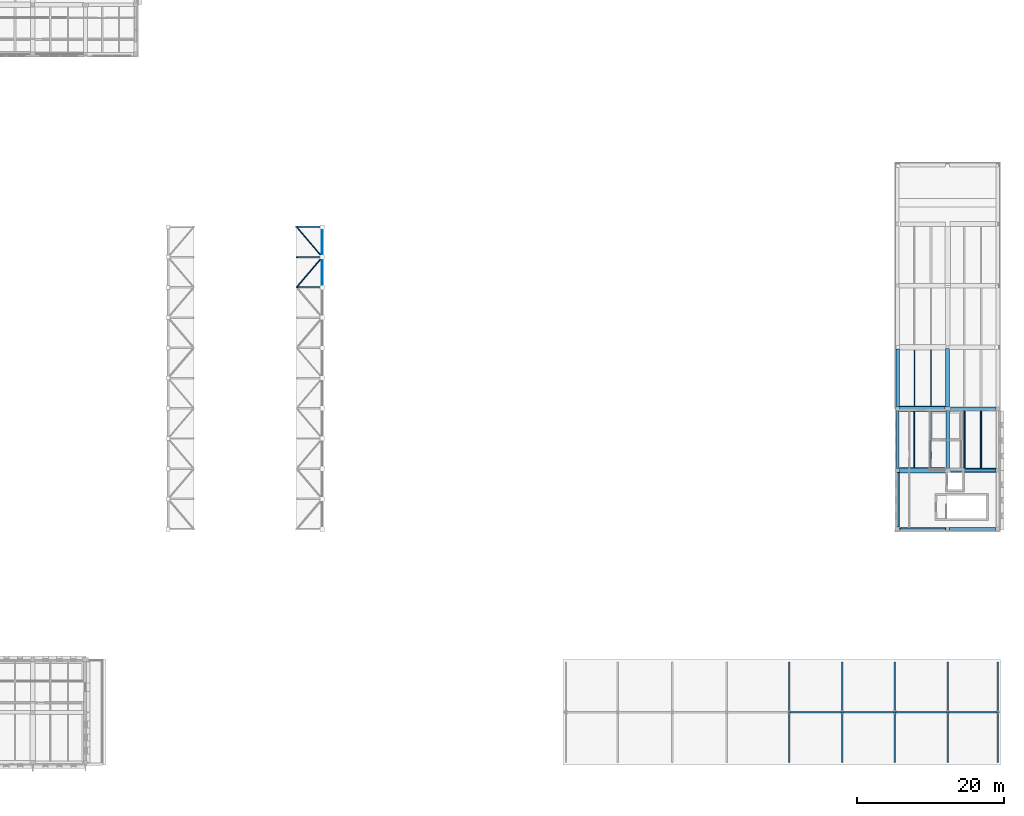
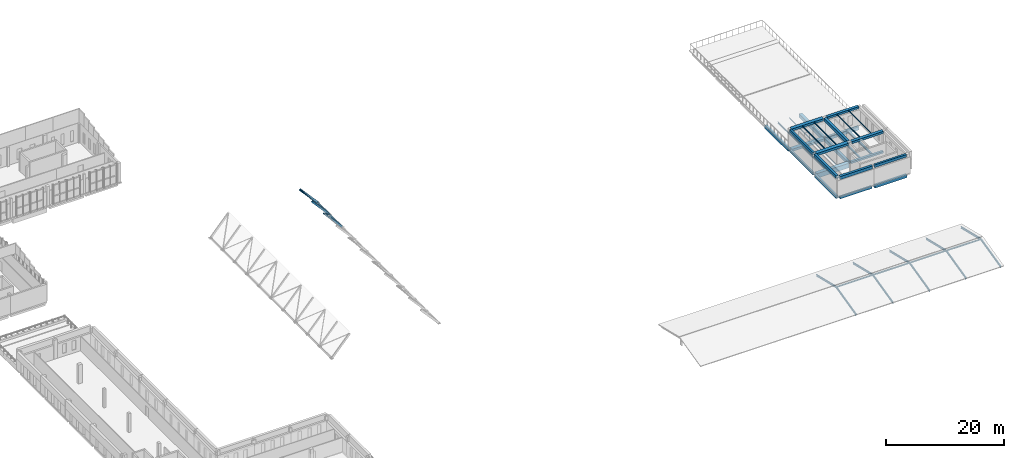
# One storey, part 14 of 34: 44 beams, 7 members.
"""IFC4 building model written with IfcOpenShell, lengths in metres."""

import ifcopenshell
import ifcopenshell.guid

model = None  # the IFC model being written
_history = None  # IfcOwnerHistory: only IFC2X3 demands one
_inside = {}  # id of a spatial element -> (the spatial element, [elements in it])
_under = {}  # id of a project, library or spatial element -> (it, [spatial elements below it])
_declared = {}  # id of a project -> (the project, [libraries it declares])
_typed = {}  # id of a type object -> (the type object, [elements of that type])
_made_of = {}  # id of a material, layer set ... -> (it, [elements and type objects made of it])


def new_model(schema):
    """Start an empty IFC model of exactly this schema.

    Asked for "IFC4X3", IfcOpenShell would pick the latest addendum, in which some entities
    have other attributes; the version numbers below select the first issue.
    IFC2X3 requires an IfcOwnerHistory on every rooted entity: one is made here for all.
    """
    global model, _history
    if schema == "IFC4X3":
        model = ifcopenshell.file(schema_version=(4, 3, 0, 0))
    else:
        model = ifcopenshell.file(schema=schema)
    _inside.clear()
    _under.clear()
    _declared.clear()
    _typed.clear()
    _made_of.clear()
    _history = None
    if model.schema == "IFC2X3":
        org = make("IfcOrganization", Name="unknown")
        user = make(
            "IfcPersonAndOrganization",
            ThePerson=make("IfcPerson", FamilyName="unknown"),
            TheOrganization=org,
        )
        app = make(
            "IfcApplication",
            ApplicationDeveloper=org,
            Version="unknown",
            ApplicationFullName="unknown",
            ApplicationIdentifier="unknown",
        )
        _history = make(
            "IfcOwnerHistory",
            OwningUser=user,
            OwningApplication=app,
            ChangeAction="ADDED",
            CreationDate=0,
        )
    return model


def make(cls, **values):
    """One entity of the class cls with the attributes given. An attribute that is None is left unset."""
    return model.create_entity(
        cls, **{name: value for name, value in values.items() if value is not None}
    )


def rooted(cls, **values):
    """An entity with a GlobalId (a new one), such as an element, a storey or a relation."""
    return make(cls, GlobalId=ifcopenshell.guid.new(), OwnerHistory=_history, **values)


def si_unit(unit_type, name, prefix=None):
    """IfcSIUnit, for example si_unit("LENGTHUNIT", "METRE", prefix="MILLI")."""
    return make("IfcSIUnit", UnitType=unit_type, Prefix=prefix, Name=name)


def assignment(units):
    """IfcUnitAssignment: the units of a project."""
    return None if units is None else make("IfcUnitAssignment", Units=units)


def point(xyz):
    """IfcCartesianPoint."""
    return None if xyz is None else make("IfcCartesianPoint", Coordinates=xyz)


def direction(xyz):
    """IfcDirection."""
    return None if xyz is None else make("IfcDirection", DirectionRatios=xyz)


def frame(location, z_axis=None, x_axis=None):
    """IfcAxis2Placement3D, a coordinate frame: its origin and axes. An axis left out is left unset."""
    return make(
        "IfcAxis2Placement3D",
        Location=point(location),
        Axis=direction(z_axis),
        RefDirection=direction(x_axis),
    )


def frame_2d(location, x_axis=None):
    """IfcAxis2Placement2D, a coordinate frame in the plane: its origin and x axis."""
    return make(
        "IfcAxis2Placement2D", Location=point(location), RefDirection=direction(x_axis)
    )


def origin():
    """The frame at (0, 0, 0) with its axes left unset."""
    return frame((0.0, 0.0, 0.0))


def origin_2d():
    """The frame at (0, 0) in the plane with its x axis left unset."""
    return frame_2d((0.0, 0.0))


def place(relative_to, where):
    """IfcLocalPlacement: puts the frame where relative to a parent placement (None: the world)."""
    return make(
        "IfcLocalPlacement", PlacementRelTo=relative_to, RelativePlacement=where
    )


def context(
    kind, dimensions, precision=None, world=None, true_north=None, identifier=None
):
    """IfcGeometricRepresentationContext, for example the 3D "Model" context."""
    return make(
        "IfcGeometricRepresentationContext",
        ContextIdentifier=identifier,
        ContextType=kind,
        CoordinateSpaceDimension=dimensions,
        Precision=precision,
        WorldCoordinateSystem=world,
        TrueNorth=true_north,
    )


def subcontext(parent, identifier, kind, view, scale=None):
    """IfcGeometricRepresentationSubContext, for example "Body" below "Model"."""
    return make(
        "IfcGeometricRepresentationSubContext",
        ContextIdentifier=identifier,
        ContextType=kind,
        ParentContext=parent,
        TargetScale=scale,
        TargetView=view,
    )


def project(units=None, contexts=None):
    """IfcProject with its units and contexts."""
    return rooted(
        "IfcProject",
        Name="project",
        RepresentationContexts=contexts,
        UnitsInContext=assignment(units),
    )


def spatial(cls, under=None, at=None, **own):
    """A site, building, storey or space (cls), placed at a placement, below another one or the project."""
    s = rooted(cls, ObjectPlacement=at, **own)
    if under is not None:
        _under.setdefault(under.id(), (under, []))[1].append(s)
    return s


def profile(cls, at=None, kind="AREA", **sizes):
    """A parametric profile (cls). Its sizes go by their IFC names, for example OverallWidth=200.0."""
    return make(cls, ProfileType=kind, Position=at, **sizes)


def rectangle(**sizes):
    """IfcRectangleProfileDef."""
    return profile("IfcRectangleProfileDef", **sizes)


def hollow_rectangle(**sizes):
    """IfcRectangleHollowProfileDef."""
    return profile("IfcRectangleHollowProfileDef", **sizes)


def hollow_circle(**sizes):
    """IfcCircleHollowProfileDef."""
    return profile("IfcCircleHollowProfileDef", **sizes)


def i_section(**sizes):
    """IfcIShapeProfileDef."""
    return profile("IfcIShapeProfileDef", **sizes)


def extrude(swept, where, along, depth):
    """IfcExtrudedAreaSolid: the profile swept, set in the frame where, extruded along a direction by depth."""
    return make(
        "IfcExtrudedAreaSolid",
        SweptArea=swept,
        Position=where,
        ExtrudedDirection=direction(along),
        Depth=depth,
    )


def shape(context_of_items, identifier, shape_type, items):
    """IfcShapeRepresentation: the items that make up one representation, for example the "Body"."""
    return make(
        "IfcShapeRepresentation",
        ContextOfItems=context_of_items,
        RepresentationIdentifier=identifier,
        RepresentationType=shape_type,
        Items=items,
    )


def material(Name=None, Category=None):
    """IfcMaterial."""
    return make("IfcMaterial", Name=Name, Category=Category)


def material_profile(
    of_material, cross_section, Name=None, Category=None, Priority=None
):
    """IfcMaterialProfile: a cross section and its material."""
    return make(
        "IfcMaterialProfile",
        Name=Name,
        Material=of_material,
        Profile=cross_section,
        Priority=Priority,
        Category=Category,
    )


def profile_set(profiles, Name=None, composite=None):
    """IfcMaterialProfileSet."""
    return make(
        "IfcMaterialProfileSet",
        Name=Name,
        MaterialProfiles=profiles,
        CompositeProfile=composite,
    )


def made_of(thing, what):
    """Note that an element or type object is made of a material, layer set ...; save() writes the relation."""
    if what is not None:
        _made_of.setdefault(what.id(), (what, []))[1].append(thing)
    return thing


def type_object(cls, material=None, **own):
    """A type object (cls), such as IfcWallType, which elements share."""
    return made_of(rooted(cls, **own), material)


def element(
    cls,
    number,
    at=None,
    inside=None,
    cuts=None,
    type_object=None,
    material=None,
    context=None,
    identifier="Body",
    shape_type=None,
    held_by="IfcProductDefinitionShape",
    body=None,
    shapes=None,
    **own,
):
    """One element of the class cls, such as IfcWall. Its Tag is "e" and its number.

    at: its placement. inside: the storey or other place that contains it. cuts: it is an
    opening in that element (IfcRelVoidsElement). A single representation is given by context,
    identifier, shape_type and body (its items); several are given by shapes. held_by: the class
    of the entity that holds the representations. save() writes the other relations.
    """
    e = rooted(cls, Tag="e%d" % number, ObjectPlacement=at, **own)
    if body is not None:
        shapes = [shape(context, identifier, shape_type, body)]
    if shapes is not None:
        e.Representation = make(held_by, Representations=shapes)
    if inside is not None:
        _inside.setdefault(inside.id(), (inside, []))[1].append(e)
    if cuts is not None:
        rooted(
            "IfcRelVoidsElement", RelatingBuildingElement=cuts, RelatedOpeningElement=e
        )
    if type_object is not None:
        _typed.setdefault(type_object.id(), (type_object, []))[1].append(e)
    return made_of(e, material)


def aggregate(whole, parts):
    """IfcRelAggregates: a whole, such as a stair, and the parts it consists of."""
    return rooted("IfcRelAggregates", RelatingObject=whole, RelatedObjects=parts)


def save(model, path):
    """Write the relations noted so far, then the file.

    IfcRelAggregates (storeys below a building ...), IfcRelContainedInSpatialStructure (elements
    in a storey), IfcRelDefinesByType, IfcRelAssociatesMaterial and IfcRelDeclares: one each for
    every whole, place, type object, material and project.
    """
    for whole, parts in _under.values():
        aggregate(whole, parts)
    for where, things in _inside.values():
        rooted(
            "IfcRelContainedInSpatialStructure",
            RelatedElements=things,
            RelatingStructure=where,
        )
    for kind, things in _typed.values():
        rooted("IfcRelDefinesByType", RelatedObjects=things, RelatingType=kind)
    for what, things in _made_of.values():
        rooted("IfcRelAssociatesMaterial", RelatedObjects=things, RelatingMaterial=what)
    for by, libraries in _declared.values():
        rooted("IfcRelDeclares", RelatingContext=by, RelatedDefinitions=libraries)
    model.write(path)


model = new_model("IFC4")

# Units and contexts
model_context = context("Model", 3, precision=1e-05, world=origin(), true_north=direction((0.0, 1.0)))
body_context = subcontext(model_context, "Body", "Model", "MODEL_VIEW")
ifc_project = project(units=[si_unit("LENGTHUNIT", "METRE"), si_unit("AREAUNIT", "SQUARE_METRE"), si_unit("VOLUMEUNIT", "CUBIC_METRE"), si_unit("PLANEANGLEUNIT", "RADIAN"), si_unit("MASSUNIT", "GRAM", prefix="KILO")], contexts=[model_context])

# Site, building, storey
site_placement = place(None, origin())
site = spatial("IfcSite", under=ifc_project, at=site_placement, CompositionType="ELEMENT")
building_placement = place(site_placement, origin())
building = spatial("IfcBuilding", under=site, at=building_placement, Name="Vardoun Plaza Health Centre", CompositionType="ELEMENT")
storey_placement = place(building_placement, frame((0.0, 0.0, 12.89990234375)))
storey = spatial("IfcBuildingStorey", under=building, at=storey_placement, Name="L03", CompositionType="ELEMENT", Elevation=12.89990234375)

# Beams
ifc_material_1 = material(Name="Concrete C35/45", Category="concrete")
ifc_material_profile_1 = material_profile(ifc_material_1, rectangle(XDim=0.35009765625, YDim=0.5, at=origin_2d()), Name="RC-BM 350x500")
ifc_profile_set_1 = profile_set([ifc_material_profile_1], Name="Concrete C35/45")
beam_type_1 = type_object("IfcBeamType", Name="B-08", PredefinedType="SPANDREL", material=ifc_profile_set_1)
beam_1_placement = place(storey_placement, frame((151.580078125, 36.679931640625, -0.5), z_axis=(1.0, 0.0, 0.0), x_axis=(0.0, 1.0, 0.0)))
element("IfcBeam", 1, at=beam_1_placement, inside=storey, type_object=beam_type_1, Name="V6 L03 Beam B-V6-L03-X01", PredefinedType="SPANDREL", context=body_context, shape_type="SweptSolid", body=[
    extrude(rectangle(XDim=0.35009765625, YDim=0.5, at=origin_2d()), origin(), (0.0, 0.0, 1.0), 6.244873046875),
])
beam_2_placement = place(storey_placement, frame((151.280029296875, 44.97509765625, -0.5), z_axis=(0.0, 1.0, 0.0), x_axis=(-1.0, 0.0, 0.0)))
element("IfcBeam", 2, at=beam_2_placement, inside=storey, type_object=beam_type_1, Name="V6 L03 Beam B-V6-L03-Y16", PredefinedType="SPANDREL", context=body_context, shape_type="SweptSolid", body=[
    extrude(rectangle(XDim=0.35009765625, YDim=0.5, at=origin_2d()), origin(), (0.0, 0.0, 1.0), 7.875),
])
ifc_material_2 = material(Name="Concrete C35/45", Category="concrete")
ifc_material_profile_2 = material_profile(ifc_material_2, rectangle(XDim=0.39990234375, YDim=0.550048828125, at=origin_2d()), Name="RC-BM 400x550")
ifc_profile_set_2 = profile_set([ifc_material_profile_2], Name="Concrete C35/45")
beam_type_2 = type_object("IfcBeamType", Name="B-09", PredefinedType="SPANDREL", material=ifc_profile_set_2)
beam_3_placement = place(storey_placement, frame((151.280029296875, 36.97998046875, -0.52490234375), z_axis=(0.0, 1.0, 0.0), x_axis=(-1.0, 0.0, 0.0)))
element("IfcBeam", 3, at=beam_3_placement, inside=storey, type_object=beam_type_2, Name="V6 L03 Beam B-V6-L03-Y15", PredefinedType="SPANDREL", context=body_context, shape_type="SweptSolid", body=[
    extrude(rectangle(XDim=0.39990234375, YDim=0.550048828125, at=origin_2d()), origin(), (0.0, 0.0, 1.0), 7.445068359375),
])
beam_4_placement = place(storey_placement, frame((158.300048828125, 36.679931640625, 3.68505859375), z_axis=(1.0, 0.0, 0.0), x_axis=(0.0, 1.0, 0.0)))
element("IfcBeam", 4, at=beam_4_placement, inside=storey, type_object=beam_type_2, Name="V6 L03 Beam B-V6-L03-X04", PredefinedType="SPANDREL", context=body_context, shape_type="SweptSolid", body=[
    extrude(rectangle(XDim=0.39990234375, YDim=0.550048828125, at=origin_2d()), origin(), (0.0, 0.0, 1.0), 6.344970703125),
])
ifc_material_3 = material(Name="Concrete C35/45", Category="concrete")
ifc_material_profile_3 = material_profile(ifc_material_3, rectangle(XDim=0.419921875, YDim=0.580078125, at=origin_2d()), Name="RC-BM 420x580")
ifc_profile_set_3 = profile_set([ifc_material_profile_3], Name="Concrete C35/45")
beam_type_3 = type_object("IfcBeamType", Name="B-10", PredefinedType="SPANDREL", material=ifc_profile_set_3)
beam_5_placement = place(storey_placement, frame((151.280029296875, 44.949951171875, 3.670166015625), z_axis=(0.0, 1.0, 0.0), x_axis=(-1.0, 0.0, 0.0)))
element("IfcBeam", 5, at=beam_5_placement, inside=storey, type_object=beam_type_3, Name="V6 L03 Beam B-V6-L03-Y08", PredefinedType="SPANDREL", context=body_context, shape_type="SweptSolid", body=[
    extrude(rectangle(XDim=0.419921875, YDim=0.580078125, at=origin_2d()), origin(), (0.0, 0.0, 1.0), 7.925048828125),
])
ifc_material_4 = material(Name="Concrete C35/45", Category="concrete")
ifc_material_profile_4 = material_profile(ifc_material_4, rectangle(XDim=0.449951171875, YDim=0.3798828125, at=origin_2d()), Name="RC-BM 450x380")
ifc_profile_set_4 = profile_set([ifc_material_profile_4], Name="Concrete C35/45")
beam_type_4 = type_object("IfcBeamType", Name="B-01", PredefinedType="BEAM", material=ifc_profile_set_4)
beam_6_placement = place(storey_placement, frame((158.35009765625, 44.699951171875, -0.43994140625), z_axis=(1.0, 0.0, 0.0), x_axis=(0.0, 1.0, 0.0)))
element("IfcBeam", 6, at=beam_6_placement, inside=storey, type_object=beam_type_4, Name="V6 L03 Beam B-V6-L03-X09", PredefinedType="BEAM", context=body_context, shape_type="SweptSolid", body=[
    extrude(rectangle(XDim=0.449951171875, YDim=0.3798828125, at=origin_2d()), origin(), (0.0, 0.0, 1.0), 6.344970703125),
])
ifc_material_5 = material(Name="Concrete C35/45", Category="concrete")
ifc_material_profile_5 = material_profile(ifc_material_5, rectangle(XDim=0.449951171875, YDim=0.60009765625, at=origin_2d()), Name="RC-BM 450x600")
ifc_profile_set_5 = profile_set([ifc_material_profile_5], Name="Concrete C35/45")
beam_type_5 = type_object("IfcBeamType", Name="B-11", PredefinedType="SPANDREL", material=ifc_profile_set_5)
beam_7_placement = place(storey_placement, frame((158.375, 36.679931640625, -0.5498046875), z_axis=(1.0, 0.0, 0.0), x_axis=(0.0, 1.0, 0.0)))
element("IfcBeam", 7, at=beam_7_placement, inside=storey, type_object=beam_type_5, Name="V6 L03 Beam B-V6-L03-X08", PredefinedType="SPANDREL", context=body_context, shape_type="SweptSolid", body=[
    extrude(rectangle(XDim=0.449951171875, YDim=0.60009765625, at=origin_2d()), origin(), (0.0, 0.0, 1.0), 6.294921875),
])
beam_8_placement = place(storey_placement, frame((151.280029296875, 36.955078125, 3.66015625), z_axis=(0.0, 1.0, 0.0), x_axis=(-1.0, 0.0, 0.0)))
element("IfcBeam", 8, at=beam_8_placement, inside=storey, type_object=beam_type_5, Name="V6 L03 Beam B-V6-L03-Y07", PredefinedType="SPANDREL", context=body_context, shape_type="SweptSolid", body=[
    extrude(rectangle(XDim=0.449951171875, YDim=0.60009765625, at=origin_2d()), origin(), (0.0, 0.0, 1.0), 7.494873046875),
])
ifc_material_6 = material(Name="Concrete C35/45", Category="concrete")
ifc_material_profile_6 = material_profile(ifc_material_6, rectangle(XDim=0.47998046875, YDim=0.6201171875, at=origin_2d()), Name="RC-BM 480x620")
ifc_profile_set_6 = profile_set([ifc_material_profile_6], Name="Concrete C35/45")
beam_type_6 = type_object("IfcBeamType", Name="B-12", PredefinedType="SPANDREL", material=ifc_profile_set_6)
beam_9_placement = place(storey_placement, frame((151.280029296875, 53.35009765625, -0.559814453125), z_axis=(0.0, 1.0, 0.0), x_axis=(-1.0, 0.0, 0.0)))
element("IfcBeam", 9, at=beam_9_placement, inside=storey, type_object=beam_type_6, Name="V6 L03 Beam B-V6-L03-Y17", PredefinedType="SPANDREL", context=body_context, shape_type="SweptSolid", body=[
    extrude(rectangle(XDim=0.47998046875, YDim=0.6201171875, at=origin_2d()), origin(), (0.0, 0.0, 1.0), 7.925048828125),
])
beam_10_placement = place(storey_placement, frame((151.554931640625, 36.679931640625, 3.650146484375), z_axis=(1.0, 0.0, 0.0), x_axis=(0.0, 1.0, 0.0)))
element("IfcBeam", 10, at=beam_10_placement, inside=storey, type_object=beam_type_6, Name="V6 L03 Beam B-V6-L03-X01", PredefinedType="SPANDREL", context=body_context, shape_type="SweptSolid", body=[
    extrude(rectangle(XDim=0.47998046875, YDim=0.6201171875, at=origin_2d()), origin(), (0.0, 0.0, 1.0), 6.344970703125),
])
ifc_material_7 = material(Name="Concrete C40/50", Category="concrete")
ifc_material_profile_7 = material_profile(ifc_material_7, rectangle(XDim=0.5, YDim=0.64990234375, at=origin_2d()), Name="RC-BM 500x650")
ifc_profile_set_7 = profile_set([ifc_material_profile_7], Name="Concrete C40/50")
beam_type_7 = type_object("IfcBeamType", Name="B-13", PredefinedType="BEAM", material=ifc_profile_set_7)
beam_11_placement = place(storey_placement, frame((158.324951171875, 53.10009765625, -0.574951171875), z_axis=(1.0, 0.0, 0.0), x_axis=(0.0, 1.0, 0.0)))
element("IfcBeam", 11, at=beam_11_placement, inside=storey, type_object=beam_type_7, Name="V6 L03 Beam B-V6-L03-X10", PredefinedType="BEAM", context=body_context, shape_type="SweptSolid", body=[
    extrude(rectangle(XDim=0.5, YDim=0.64990234375, at=origin_2d()), origin(), (0.0, 0.0, 1.0), 6.39501953125),
])
beam_12_placement = place(storey_placement, frame((158.10009765625, 44.949951171875, -0.574951171875), z_axis=(0.0, 1.0, 0.0), x_axis=(-1.0, 0.0, 0.0)))
element("IfcBeam", 12, at=beam_12_placement, inside=storey, type_object=beam_type_7, Name="V6 L03 Beam B-V6-L03-Y21", PredefinedType="BEAM", context=body_context, shape_type="SweptSolid", body=[
    extrude(rectangle(XDim=0.5, YDim=0.64990234375, at=origin_2d()), origin(), (0.0, 0.0, 1.0), 7.925048828125),
])
beam_13_placement = place(storey_placement, frame((158.10009765625, 44.97509765625, 3.635009765625), z_axis=(0.0, 1.0, 0.0), x_axis=(-1.0, 0.0, 0.0)))
element("IfcBeam", 13, at=beam_13_placement, inside=storey, type_object=beam_type_7, Name="V6 L03 Beam B-V6-L03-Y09", PredefinedType="BEAM", context=body_context, shape_type="SweptSolid", body=[
    extrude(rectangle(XDim=0.5, YDim=0.64990234375, at=origin_2d()), origin(), (0.0, 0.0, 1.0), 7.875),
])
ifc_material_8 = material(Name="Concrete C35/45", Category="concrete")
ifc_material_profile_8 = material_profile(ifc_material_8, rectangle(XDim=0.550048828125, YDim=0.419921875, at=origin_2d()), Name="RC-BM 550x420")
ifc_profile_set_8 = profile_set([ifc_material_profile_8], Name="Concrete C35/45")
beam_type_8 = type_object("IfcBeamType", Name="B-03", PredefinedType="BEAM", material=ifc_profile_set_8)
beam_14_placement = place(storey_placement, frame((158.47509765625, 53.10009765625, 3.75), z_axis=(1.0, 0.0, 0.0), x_axis=(0.0, 1.0, 0.0)))
element("IfcBeam", 14, at=beam_14_placement, inside=storey, type_object=beam_type_8, Name="V6 L03 Beam B-V6-L03-X06", PredefinedType="BEAM", context=body_context, shape_type="SweptSolid", body=[
    extrude(rectangle(XDim=0.550048828125, YDim=0.419921875, at=origin_2d()), origin(), (0.0, 0.0, 1.0), 6.219970703125),
])
ifc_material_9 = material(Name="Concrete C40/50", Category="concrete")
ifc_material_profile_9 = material_profile(ifc_material_9, rectangle(XDim=0.550048828125, YDim=0.719970703125, at=origin_2d()), Name="RC-BM 550x720")
ifc_profile_set_9 = profile_set([ifc_material_profile_9], Name="Concrete C40/50")
beam_type_9 = type_object("IfcBeamType", Name="B-14", PredefinedType="BEAM", material=ifc_profile_set_9)
beam_15_placement = place(storey_placement, frame((158.10009765625, 53.324951171875, -0.60986328125), z_axis=(0.0, 1.0, 0.0), x_axis=(-1.0, 0.0, 0.0)))
element("IfcBeam", 15, at=beam_15_placement, inside=storey, type_object=beam_type_9, Name="V6 L03 Beam B-V6-L03-Y22", PredefinedType="BEAM", context=body_context, shape_type="SweptSolid", body=[
    extrude(rectangle(XDim=0.550048828125, YDim=0.719970703125, at=origin_2d()), origin(), (0.0, 0.0, 1.0), 7.97509765625),
])
ifc_material_10 = material(Name="Concrete C35/45", Category="concrete")
ifc_material_profile_10 = material_profile(ifc_material_10, rectangle(XDim=0.60009765625, YDim=0.449951171875, at=origin_2d()), Name="RC-BM 600x450")
ifc_profile_set_10 = profile_set([ifc_material_profile_10], Name="Concrete C35/45")
beam_type_10 = type_object("IfcBeamType", Name="B-04", PredefinedType="BEAM", material=ifc_profile_set_10)
beam_16_placement = place(storey_placement, frame((158.5, 44.699951171875, 3.735107421875), z_axis=(1.0, 0.0, 0.0), x_axis=(0.0, 1.0, 0.0)))
element("IfcBeam", 16, at=beam_16_placement, inside=storey, type_object=beam_type_10, Name="V6 L03 Beam B-V6-L03-X05", PredefinedType="BEAM", context=body_context, shape_type="SweptSolid", body=[
    extrude(rectangle(XDim=0.60009765625, YDim=0.449951171875, at=origin_2d()), origin(), (0.0, 0.0, 1.0), 6.169921875),
])
ifc_material_11 = material(Name="Concrete C35/45", Category="concrete")
ifc_material_profile_11 = material_profile(ifc_material_11, rectangle(XDim=0.699951171875, YDim=0.449951171875, at=origin_2d()), Name="RC-BM 700x450")
ifc_profile_set_11 = profile_set([ifc_material_profile_11], Name="Concrete C35/45")
beam_type_11 = type_object("IfcBeamType", Name="B-06", PredefinedType="BEAM", material=ifc_profile_set_11)
beam_17_placement = place(storey_placement, frame((151.5048828125, 53.10009765625, 3.735107421875), z_axis=(1.0, 0.0, 0.0), x_axis=(0.0, 1.0, 0.0)))
element("IfcBeam", 17, at=beam_17_placement, inside=storey, type_object=beam_type_11, Name="V6 L03 Beam B-V6-L03-X03", PredefinedType="BEAM", context=body_context, shape_type="SweptSolid", body=[
    extrude(rectangle(XDim=0.699951171875, YDim=0.449951171875, at=origin_2d()), origin(), (0.0, 0.0, 1.0), 6.22021484375),
])
ifc_material_12 = material(Name="Concrete C40/50", Category="concrete")
ifc_material_profile_12 = material_profile(ifc_material_12, rectangle(XDim=0.699951171875, YDim=0.949951171875, at=origin_2d()), Name="RC-BM 700x950")
ifc_profile_set_12 = profile_set([ifc_material_profile_12], Name="Concrete C40/50")
beam_type_12 = type_object("IfcBeamType", Name="B-16", PredefinedType="LINTEL", material=ifc_profile_set_12)
beam_18_placement = place(storey_placement, frame((151.554931640625, 44.699951171875, -0.724853515625), z_axis=(1.0, 0.0, 0.0), x_axis=(0.0, 1.0, 0.0)))
element("IfcBeam", 18, at=beam_18_placement, inside=storey, type_object=beam_type_12, Name="V6 L03 Beam B-V6-L03-X02", PredefinedType="LINTEL", context=body_context, shape_type="SweptSolid", body=[
    extrude(rectangle(XDim=0.699951171875, YDim=0.949951171875, at=origin_2d()), origin(), (0.0, 0.0, 1.0), 6.295166015625),
])
ifc_material_13 = material(Name="Concrete C35/45", Category="concrete")
ifc_material_profile_13 = material_profile(ifc_material_13, rectangle(XDim=0.75, YDim=0.47998046875, at=origin_2d()), Name="RC-BM 750x480")
ifc_profile_set_13 = profile_set([ifc_material_profile_13], Name="Concrete C35/45")
beam_type_13 = type_object("IfcBeamType", Name="B-07", PredefinedType="BEAM", material=ifc_profile_set_13)
beam_19_placement = place(storey_placement, frame((151.530029296875, 53.10009765625, -0.489990234375), z_axis=(1.0, 0.0, 0.0), x_axis=(0.0, 1.0, 0.0)))
element("IfcBeam", 19, at=beam_19_placement, inside=storey, type_object=beam_type_13, Name="V6 L03 Beam B-V6-L03-X03", PredefinedType="BEAM", context=body_context, shape_type="SweptSolid", body=[
    extrude(rectangle(XDim=0.75, YDim=0.47998046875, at=origin_2d()), origin(), (0.0, 0.0, 1.0), 6.344970703125),
])
beam_20_placement = place(storey_placement, frame((151.530029296875, 44.699951171875, 3.72021484375), z_axis=(1.0, 0.0, 0.0), x_axis=(0.0, 1.0, 0.0)))
element("IfcBeam", 20, at=beam_20_placement, inside=storey, type_object=beam_type_13, Name="V6 L03 Beam B-V6-L03-X02", PredefinedType="BEAM", context=body_context, shape_type="SweptSolid", body=[
    extrude(rectangle(XDim=0.75, YDim=0.47998046875, at=origin_2d()), origin(), (0.0, 0.0, 1.0), 6.169921875),
])
ifc_material_14 = material(Name="Steel S355J2", Category="steel")
ifc_material_profile_14 = material_profile(ifc_material_14, i_section(OverallWidth=0.219970703125, OverallDepth=0.2099609375, WebThickness=0.007080078125, FlangeThickness=0.010986328125, FilletRadius=0.01806640625, at=origin_2d()), Name="HEA 220")
ifc_profile_set_14 = profile_set([ifc_material_profile_14], Name="Steel S355J2")
beam_type_14 = type_object("IfcBeamType", Name="SB-08", PredefinedType="BEAM", material=ifc_profile_set_14)
for number, where, z_axis, x_axis, name in (
    (21, (136.5, 11.699951171875, 1.2900390625), (1.0, 0.0, 0.0), (0.0, 1.0, 0.0), "V5 Folded-Roof Ridge Beam 5"),
    (22, (143.699951171875, 11.699951171875, 1.2900390625), (1.0, 0.0, 0.0), (0.0, 1.0, 0.0), "V5 Folded-Roof Ridge Beam 6"),
):
    element("IfcBeam", number, at=place(storey_placement, frame(where, z_axis=z_axis, x_axis=x_axis)), inside=storey, type_object=beam_type_14, Name=name, PredefinedType="BEAM", context=body_context, shape_type="SweptSolid", body=[
        extrude(i_section(OverallWidth=0.219970703125, OverallDepth=0.2099609375, WebThickness=0.007080078125, FlangeThickness=0.010986328125, FilletRadius=0.01806640625, at=origin_2d()), origin(), (0.0, 0.0, 1.0), 7.199951171875),
    ])
beam_21_placement = place(storey_placement, frame((150.89990234375, 11.699951171875, 1.2900390625), z_axis=(1.0, 0.0, 0.0), x_axis=(0.0, 1.0, 0.0)))
element("IfcBeam", 23, at=beam_21_placement, inside=storey, type_object=beam_type_14, Name="V5 Folded-Roof Ridge Beam 7", PredefinedType="BEAM", context=body_context, shape_type="SweptSolid", body=[
    extrude(i_section(OverallWidth=0.219970703125, OverallDepth=0.2099609375, WebThickness=0.007080078125, FlangeThickness=0.010986328125, FilletRadius=0.01806640625, at=origin_2d()), origin(), (0.0, 0.0, 1.0), 7.2001953125),
])
beam_22_placement = place(storey_placement, frame((158.10009765625, 11.699951171875, 1.2900390625), z_axis=(1.0, 0.0, 0.0), x_axis=(0.0, 1.0, 0.0)))
element("IfcBeam", 24, at=beam_22_placement, inside=storey, type_object=beam_type_14, Name="V5 Folded-Roof Ridge Beam 8", PredefinedType="BEAM", context=body_context, shape_type="SweptSolid", body=[
    extrude(i_section(OverallWidth=0.219970703125, OverallDepth=0.2099609375, WebThickness=0.007080078125, FlangeThickness=0.010986328125, FilletRadius=0.01806640625, at=origin_2d()), origin(), (0.0, 0.0, 1.0), 6.81982421875),
])
ifc_material_15 = material(Name="Steel S355J2", Category="steel")
ifc_material_profile_15 = material_profile(ifc_material_15, i_section(OverallWidth=0.280029296875, OverallDepth=0.27001953125, WebThickness=0.008056640625, FlangeThickness=0.012939453125, FilletRadius=0.02392578125, at=origin_2d()), Name="HEA 280")
ifc_profile_set_15 = profile_set([ifc_material_profile_15], Name="Steel S355J2")
beam_type_15 = type_object("IfcBeamType", Name="SB-06", PredefinedType="BEAM", material=ifc_profile_set_15)
beam_23_placement = place(storey_placement, frame((160.373046875, 44.925048828125, -0.385009765625), z_axis=(0.0, 1.0, 0.0), x_axis=(-1.0, 0.0, 0.0)))
element("IfcBeam", 25, at=beam_23_placement, inside=storey, type_object=beam_type_15, Name="V6 L03 Secondary Floor Beam SJ-V6-L03-09", PredefinedType="BEAM", context=body_context, shape_type="SweptSolid", body=[
    extrude(i_section(OverallWidth=0.280029296875, OverallDepth=0.27001953125, WebThickness=0.008056640625, FlangeThickness=0.012939453125, FilletRadius=0.02392578125, at=origin_2d()), origin(), (0.0, 0.0, 1.0), 7.925048828125),
])
ifc_material_16 = material(Name="Steel S355J2", Category="steel")
ifc_material_profile_16 = material_profile(ifc_material_16, i_section(OverallWidth=0.300048828125, OverallDepth=0.360107421875, WebThickness=0.012451171875, FlangeThickness=0.0224609375, FilletRadius=0.027099609375, at=origin_2d()), Name="HEB 360")
ifc_profile_set_16 = profile_set([ifc_material_profile_16], Name="Steel S355J2")
beam_type_16 = type_object("IfcBeamType", Name="RB-04", PredefinedType="BEAM", material=ifc_profile_set_16)
beam_24_placement = place(storey_placement, frame((162.64697265625, 44.925048828125, -0.429931640625), z_axis=(0.0, 1.0, 0.0), x_axis=(-1.0, 0.0, 0.0)))
element("IfcBeam", 26, at=beam_24_placement, inside=storey, type_object=beam_type_16, Name="V6 L03 Secondary Floor Beam SJ-V6-L03-13", PredefinedType="BEAM", context=body_context, shape_type="SweptSolid", body=[
    extrude(i_section(OverallWidth=0.300048828125, OverallDepth=0.360107421875, WebThickness=0.012451171875, FlangeThickness=0.0224609375, FilletRadius=0.027099609375, at=origin_2d()), origin(), (0.0, 0.0, 1.0), 7.925048828125),
])
ifc_material_17 = material(Name="Steel S355J2", Category="steel")
ifc_material_profile_17 = material_profile(ifc_material_17, i_section(OverallWidth=0.10009765625, OverallDepth=0.199951171875, WebThickness=0.005615234375, FlangeThickness=0.008544921875, FilletRadius=0.011962890625, at=origin_2d()), Name="IPE 200")
ifc_profile_set_17 = profile_set([ifc_material_profile_17], Name="Steel S355J2")
beam_type_17 = type_object("IfcBeamType", Name="SB-19", PredefinedType="SPANDREL", material=ifc_profile_set_17)
beam_25_placement = place(storey_placement, frame((155.826904296875, 53.47509765625, -0.349853515625), z_axis=(0.0, 1.0, 0.0), x_axis=(-1.0, 0.0, 0.0)))
element("IfcBeam", 27, at=beam_25_placement, inside=storey, type_object=beam_type_17, Name="V6 L03 Secondary Floor Beam SJ-V6-L03-06", PredefinedType="SPANDREL", context=body_context, shape_type="SweptSolid", body=[
    extrude(i_section(OverallWidth=0.10009765625, OverallDepth=0.199951171875, WebThickness=0.005615234375, FlangeThickness=0.008544921875, FilletRadius=0.011962890625, at=origin_2d()), origin(), (0.0, 0.0, 1.0), 7.675048828125),
])
beam_26_placement = place(storey_placement, frame((162.64697265625, 45.0, 3.860107421875), z_axis=(0.0, 1.0, 0.0), x_axis=(-1.0, 0.0, 0.0)))
element("IfcBeam", 28, at=beam_26_placement, inside=storey, type_object=beam_type_17, Name="V6 L03 Secondary Floor Beam SJ-V6-L03-04", PredefinedType="SPANDREL", context=body_context, shape_type="SweptSolid", body=[
    extrude(i_section(OverallWidth=0.10009765625, OverallDepth=0.199951171875, WebThickness=0.005615234375, FlangeThickness=0.008544921875, FilletRadius=0.011962890625, at=origin_2d()), origin(), (0.0, 0.0, 1.0), 7.824951171875),
])
ifc_material_18 = material(Name="Steel S355J2", Category="steel")
ifc_material_profile_18 = material_profile(ifc_material_18, i_section(OverallWidth=0.110107421875, OverallDepth=0.219970703125, WebThickness=0.005859375, FlangeThickness=0.00927734375, FilletRadius=0.011962890625, at=origin_2d()), Name="IPE 220")
ifc_profile_set_18 = profile_set([ifc_material_profile_18], Name="Steel S355J2")
beam_type_18 = type_object("IfcBeamType", Name="SB-18", PredefinedType="JOIST", material=ifc_profile_set_18)
beam_27_placement = place(storey_placement, frame((155.826904296875, 45.050048828125, -0.35986328125), z_axis=(0.0, 1.0, 0.0), x_axis=(-1.0, 0.0, 0.0)))
element("IfcBeam", 29, at=beam_27_placement, inside=storey, type_object=beam_type_18, Name="V6 L03 Secondary Floor Beam SJ-V6-L03-05", PredefinedType="JOIST", context=body_context, shape_type="SweptSolid", body=[
    extrude(i_section(OverallWidth=0.110107421875, OverallDepth=0.219970703125, WebThickness=0.005859375, FlangeThickness=0.00927734375, FilletRadius=0.011962890625, at=origin_2d()), origin(), (0.0, 0.0, 1.0), 7.675048828125),
])
beam_28_placement = place(storey_placement, frame((160.373046875, 45.0, 3.85009765625), z_axis=(0.0, 1.0, 0.0), x_axis=(-1.0, 0.0, 0.0)))
element("IfcBeam", 30, at=beam_28_placement, inside=storey, type_object=beam_type_18, Name="V6 L03 Secondary Floor Beam SJ-V6-L03-03", PredefinedType="JOIST", context=body_context, shape_type="SweptSolid", body=[
    extrude(i_section(OverallWidth=0.110107421875, OverallDepth=0.219970703125, WebThickness=0.005859375, FlangeThickness=0.00927734375, FilletRadius=0.011962890625, at=origin_2d()), origin(), (0.0, 0.0, 1.0), 7.824951171875),
])
ifc_material_19 = material(Name="Steel S355J2", Category="steel")
ifc_material_profile_19 = material_profile(ifc_material_19, i_section(OverallWidth=0.1201171875, OverallDepth=0.239990234375, WebThickness=0.006103515625, FlangeThickness=0.009765625, FilletRadius=0.014892578125, at=origin_2d()), Name="IPE 240")
ifc_profile_set_19 = profile_set([ifc_material_profile_19], Name="Steel S355J2")
beam_type_19 = type_object("IfcBeamType", Name="SB-17", PredefinedType="JOIST", material=ifc_profile_set_19)
beam_29_placement = place(storey_placement, frame((155.826904296875, 45.074951171875, 3.840087890625), z_axis=(0.0, 1.0, 0.0), x_axis=(-1.0, 0.0, 0.0)))
element("IfcBeam", 31, at=beam_29_placement, inside=storey, type_object=beam_type_19, Name="V6 L03 Secondary Floor Beam SJ-V6-L03-02", PredefinedType="JOIST", context=body_context, shape_type="SweptSolid", body=[
    extrude(i_section(OverallWidth=0.1201171875, OverallDepth=0.239990234375, WebThickness=0.006103515625, FlangeThickness=0.009765625, FilletRadius=0.014892578125, at=origin_2d()), origin(), (0.0, 0.0, 1.0), 7.675048828125),
])
ifc_material_20 = material(Name="Steel S355J2", Category="steel")
ifc_material_profile_20 = material_profile(ifc_material_20, i_section(OverallWidth=0.135009765625, OverallDepth=0.27001953125, WebThickness=0.006591796875, FlangeThickness=0.01025390625, FilletRadius=0.014892578125, at=origin_2d()), Name="IPE 270")
ifc_profile_set_20 = profile_set([ifc_material_profile_20], Name="Steel S355J2")
beam_type_20 = type_object("IfcBeamType", Name="SB-16", PredefinedType="JOIST", material=ifc_profile_set_20)
beam_30_placement = place(storey_placement, frame((153.552978515625, 45.074951171875, 3.8251953125), z_axis=(0.0, 1.0, 0.0), x_axis=(-1.0, 0.0, 0.0)))
element("IfcBeam", 32, at=beam_30_placement, inside=storey, type_object=beam_type_20, Name="V6 L03 Secondary Floor Beam SJ-V6-L03-01", PredefinedType="JOIST", context=body_context, shape_type="SweptSolid", body=[
    extrude(i_section(OverallWidth=0.135009765625, OverallDepth=0.27001953125, WebThickness=0.006591796875, FlangeThickness=0.01025390625, FilletRadius=0.014892578125, at=origin_2d()), origin(), (0.0, 0.0, 1.0), 7.675048828125),
])
ifc_material_21 = material(Name="Steel S355J2", Category="steel")
ifc_material_profile_21 = material_profile(ifc_material_21, i_section(OverallWidth=0.14990234375, OverallDepth=0.300048828125, WebThickness=0.007080078125, FlangeThickness=0.0107421875, FilletRadius=0.014892578125, at=origin_2d()), Name="IPE 300")
ifc_profile_set_21 = profile_set([ifc_material_profile_21], Name="Steel S355J2")
beam_type_21 = type_object("IfcBeamType", Name="SB-15", PredefinedType="JOIST", material=ifc_profile_set_21)
beam_31_placement = place(storey_placement, frame((153.552978515625, 53.47509765625, -0.39990234375), z_axis=(0.0, 1.0, 0.0), x_axis=(-1.0, 0.0, 0.0)))
element("IfcBeam", 33, at=beam_31_placement, inside=storey, type_object=beam_type_21, Name="V6 L03 Secondary Floor Beam SJ-V6-L03-02", PredefinedType="JOIST", context=body_context, shape_type="SweptSolid", body=[
    extrude(i_section(OverallWidth=0.14990234375, OverallDepth=0.300048828125, WebThickness=0.007080078125, FlangeThickness=0.0107421875, FilletRadius=0.014892578125, at=origin_2d()), origin(), (0.0, 0.0, 1.0), 7.675048828125),
])
ifc_material_22 = material(Name="Steel S355J2", Category="steel")
ifc_material_profile_22 = material_profile(ifc_material_22, i_section(OverallWidth=0.159912109375, OverallDepth=0.330078125, WebThickness=0.007568359375, FlangeThickness=0.011474609375, FilletRadius=0.01806640625, at=origin_2d()), Name="IPE 330")
ifc_profile_set_22 = profile_set([ifc_material_profile_22], Name="Steel S355J2")
beam_type_22 = type_object("IfcBeamType", Name="SB-14", PredefinedType="JOIST", material=ifc_profile_set_22)
beam_32_placement = place(storey_placement, frame((153.552978515625, 45.050048828125, -0.414794921875), z_axis=(0.0, 1.0, 0.0), x_axis=(-1.0, 0.0, 0.0)))
element("IfcBeam", 34, at=beam_32_placement, inside=storey, type_object=beam_type_22, Name="V6 L03 Secondary Floor Beam SJ-V6-L03-01", PredefinedType="JOIST", context=body_context, shape_type="SweptSolid", body=[
    extrude(i_section(OverallWidth=0.159912109375, OverallDepth=0.330078125, WebThickness=0.007568359375, FlangeThickness=0.011474609375, FilletRadius=0.01806640625, at=origin_2d()), origin(), (0.0, 0.0, 1.0), 7.675048828125),
])
ifc_material_23 = material(Name="Steel S355J2", Category="steel")
ifc_material_profile_23 = material_profile(ifc_material_23, i_section(OverallWidth=0.179931640625, OverallDepth=0.39990234375, WebThickness=0.008544921875, FlangeThickness=0.013427734375, FilletRadius=0.02099609375, at=origin_2d()), Name="IPE 400")
ifc_profile_set_23 = profile_set([ifc_material_profile_23], Name="Steel S355J2")
beam_type_23 = type_object("IfcBeamType", Name="SB-12", PredefinedType="BEAM", material=ifc_profile_set_23)
for number, where, z_axis, x_axis, name in (
    (35, (136.5, 4.8798828125, -0.347412109375), (0.0, 0.972366760857, 0.233458523897), (-1.0, 0.0, 0.0), "V5 South Folded Rafter 5"),
    (36, (136.5, 11.699951171875, 1.2900390625), (0.0, 0.972366760857, -0.233458523897), (-1.0, 0.0, 0.0), "V5 North Folded Rafter 5"),
    (37, (143.699951171875, 4.8798828125, -0.347412109375), (0.0, 0.972366760857, 0.233458523897), (-1.0, 0.0, 0.0), "V5 South Folded Rafter 6"),
    (38, (143.699951171875, 11.699951171875, 1.2900390625), (0.0, 0.972366760857, -0.233458523897), (-1.0, 0.0, 0.0), "V5 North Folded Rafter 6"),
    (39, (150.89990234375, 4.8798828125, -0.347412109375), (0.0, 0.972366760857, 0.233458523897), (-1.0, 0.0, 0.0), "V5 South Folded Rafter 7"),
    (40, (150.89990234375, 11.699951171875, 1.2900390625), (0.0, 0.972366760857, -0.233458523897), (-1.0, 0.0, 0.0), "V5 North Folded Rafter 7"),
    (41, (158.10009765625, 4.8798828125, -0.347412109375), (0.0, 0.972366760857, 0.233458523897), (-1.0, 0.0, 0.0), "V5 South Folded Rafter 8"),
    (42, (158.10009765625, 11.699951171875, 1.2900390625), (0.0, 0.972366760857, -0.233458523897), (-1.0, 0.0, 0.0), "V5 North Folded Rafter 8"),
    (43, (164.919921875, 4.8798828125, -0.347412109375), (0.0, 0.972366760857, 0.233458523897), (-1.0, 0.0, 0.0), "V5 South Folded Rafter 9"),
    (44, (164.919921875, 11.699951171875, 1.2900390625), (0.0, 0.972366760857, -0.233458523897), (-1.0, 0.0, 0.0), "V5 North Folded Rafter 9"),
):
    element("IfcBeam", number, at=place(storey_placement, frame(where, z_axis=z_axis, x_axis=x_axis)), inside=storey, type_object=beam_type_23, Name=name, PredefinedType="BEAM", context=body_context, shape_type="SweptSolid", body=[
        extrude(i_section(OverallWidth=0.179931640625, OverallDepth=0.39990234375, WebThickness=0.008544921875, FlangeThickness=0.013427734375, FilletRadius=0.02099609375, at=origin_2d()), origin(), (0.0, 0.0, 1.0), 7.013916015625),
    ])

# Members
ifc_material_24 = material(Name="Glulam GL28h", Category="wood")
ifc_material_profile_24 = material_profile(ifc_material_24, rectangle(XDim=0.1201171875, YDim=0.239990234375, at=origin_2d()), Name="GL28h 120x240")
ifc_profile_set_24 = profile_set([ifc_material_profile_24], Name="Glulam GL28h")
member_type_1 = type_object("IfcMemberType", Name="GP-08", PredefinedType="PURLIN", material=ifc_profile_set_24)
member_1_placement = place(storey_placement, frame((72.794921875, 69.672119140625, 1.0126953125), z_axis=(0.0, 1.0, 0.0), x_axis=(-1.0, 0.0, 0.0)))
element("IfcMember", 45, at=member_1_placement, inside=storey, type_object=member_type_1, Name="Gridshell Glulam Purlin GP-08-09", PredefinedType="PURLIN", context=body_context, shape_type="SweptSolid", body=[
    extrude(rectangle(XDim=0.1201171875, YDim=0.239990234375, at=origin_2d()), origin(), (0.0, 0.0, 1.0), 4.123779296875),
])
member_2_placement = place(storey_placement, frame((72.794921875, 73.7958984375, 1.0126953125), z_axis=(0.0, 1.0, 0.0), x_axis=(-1.0, 0.0, 0.0)))
element("IfcMember", 46, at=member_2_placement, inside=storey, type_object=member_type_1, Name="Gridshell Glulam Purlin GP-08-10", PredefinedType="PURLIN", context=body_context, shape_type="SweptSolid", body=[
    extrude(rectangle(XDim=0.1201171875, YDim=0.239990234375, at=origin_2d()), origin(), (0.0, 0.0, 1.0), 4.1240234375),
])
ifc_material_25 = material(Name="Steel S355J2H", Category="steel")
ifc_material_profile_25 = material_profile(ifc_material_25, hollow_rectangle(XDim=0.199951171875, YDim=0.39990234375, WallThickness=0.012451171875, at=origin_2d()), Name="RHS 400x200x12.5")
ifc_profile_set_25 = profile_set([ifc_material_profile_25], Name="Steel S355J2H")
member_type_2 = type_object("IfcMemberType", Name="GS-A1", PredefinedType="CHORD", material=ifc_profile_set_25)
member_3_placement = place(storey_placement, frame((72.794921875, 77.919921875, 1.0126953125), z_axis=(-0.664881116715, 0.0, 0.746949195485), x_axis=(0.0, -1.0, 0.0)))
element("IfcMember", 47, at=member_3_placement, inside=storey, type_object=member_type_2, Name="Gridshell Arch Rib GA-11-07", PredefinedType="CHORD", context=body_context, shape_type="SweptSolid", body=[
    extrude(hollow_rectangle(XDim=0.199951171875, YDim=0.39990234375, WallThickness=0.012451171875, at=origin_2d()), origin(), (0.0, 0.0, 1.0), 5.271484375),
])
ifc_material_26 = material(Name="Steel S355J2H", Category="steel")
ifc_material_profile_26 = material_profile(ifc_material_26, hollow_rectangle(XDim=0.199951171875, YDim=0.300048828125, WallThickness=0.012451171875, at=origin_2d()), Name="RHS 300x200x12.5")
ifc_profile_set_26 = profile_set([ifc_material_profile_26], Name="Steel S355J2H")
member_type_3 = type_object("IfcMemberType", Name="GS-A3", PredefinedType="CHORD", material=ifc_profile_set_26)
for number, where, z_axis, x_axis, name in (
    (48, (72.794921875, 69.672119140625, 1.0126953125), (-0.664881116715, 0.0, 0.746949195485), (0.0, -1.0, 0.0), "Gridshell Arch Rib GA-09-07"),
    (49, (72.794921875, 73.7958984375, 1.0126953125), (-0.664881116715, 0.0, 0.746949195485), (0.0, -1.0, 0.0), "Gridshell Arch Rib GA-10-07"),
):
    element("IfcMember", number, at=place(storey_placement, frame(where, z_axis=z_axis, x_axis=x_axis)), inside=storey, type_object=member_type_3, Name=name, PredefinedType="CHORD", context=body_context, shape_type="SweptSolid", body=[
        extrude(hollow_rectangle(XDim=0.199951171875, YDim=0.300048828125, WallThickness=0.012451171875, at=origin_2d()), origin(), (0.0, 0.0, 1.0), 5.271484375),
    ])
ifc_material_27 = material(Name="Steel S355J2H", Category="steel")
ifc_material_profile_27 = material_profile(ifc_material_27, hollow_circle(Radius=0.096923828125, WallThickness=0.010009765625, at=origin_2d()), Name="CHS 193.7x10.0")
ifc_profile_set_27 = profile_set([ifc_material_profile_27], Name="Steel S355J2H")
member_type_4 = type_object("IfcMemberType", Name="GS-D3", PredefinedType="BRACE", material=ifc_profile_set_27)
member_4_placement = place(storey_placement, frame((72.794921875, 73.7958984375, 1.0126953125), z_axis=(-0.523679050548, -0.616150936389, 0.588318175483), x_axis=(0.761969369094, -0.647613063922, 0.0)))
element("IfcMember", 50, at=member_4_placement, inside=storey, type_object=member_type_4, Name="Gridshell Diagonal GD-09-07", PredefinedType="BRACE", context=body_context, shape_type="SweptSolid", body=[
    extrude(hollow_circle(Radius=0.096923828125, WallThickness=0.010009765625, at=origin_2d()), origin(), (0.0, 0.0, 1.0), 6.69287109375),
])
ifc_material_28 = material(Name="Steel S355J2H", Category="steel")
ifc_material_profile_28 = material_profile(ifc_material_28, hollow_circle(Radius=0.0888671875, WallThickness=0.008056640625, at=origin_2d()), Name="CHS 177.8x8.0")
ifc_profile_set_28 = profile_set([ifc_material_profile_28], Name="Steel S355J2H")
member_type_5 = type_object("IfcMemberType", Name="GS-D4", PredefinedType="BRACE", material=ifc_profile_set_28)
member_5_placement = place(storey_placement, frame((72.794921875, 73.7958984375, 1.0126953125), z_axis=(-0.52366728039, 0.616173565084, 0.588304952503), x_axis=(-0.761988287779, -0.647590803893, 0.0)))
element("IfcMember", 51, at=member_5_placement, inside=storey, type_object=member_type_5, Name="Gridshell Diagonal GD-10-07", PredefinedType="BRACE", context=body_context, shape_type="SweptSolid", body=[
    extrude(hollow_circle(Radius=0.0888671875, WallThickness=0.008056640625, at=origin_2d()), origin(), (0.0, 0.0, 1.0), 6.69287109375),
])

save(model, "model.ifc")
